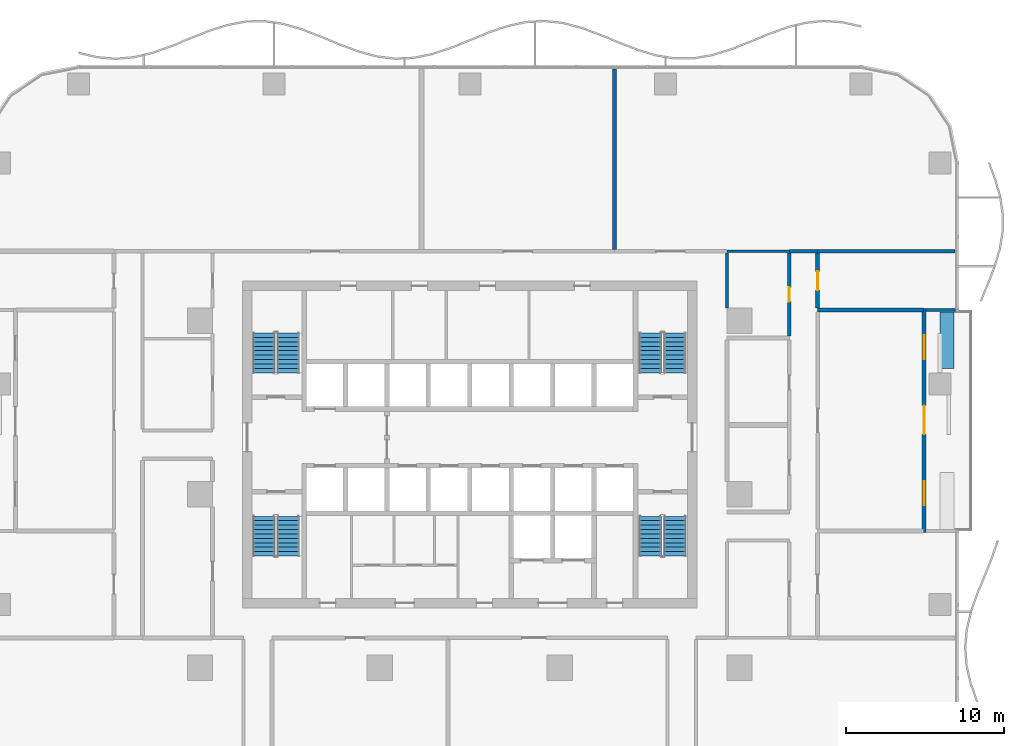
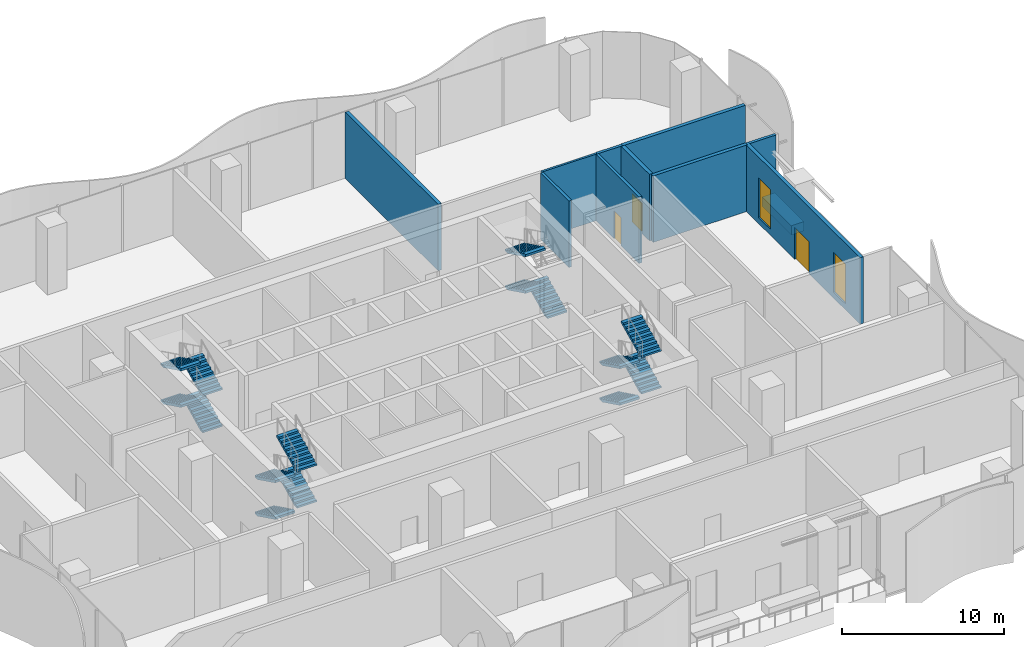
# One storey, part 11 of 21: 15 stair flights, 11 walls, 3 doors, 2 windows, 5 openings, 4 elements without a shape of their own.
"""IFC4 building model written with IfcOpenShell, lengths in metres."""

from ifc_helpers import new_model, si_unit, direction, frame, frame_2d, origin, place, context, subcontext, project, spatial, polyline, rectangle, outline, extrude, material, layer, layer_set, type_object, element, fill, aggregate, save


model = new_model("IFC4")

# Units and contexts
model_context = context("Model", 3, precision=1e-05, world=origin(), true_north=direction((0.0, 1.0)))
body_context = subcontext(model_context, "Body", "Model", "MODEL_VIEW")
ifc_project = project(units=[si_unit("LENGTHUNIT", "METRE"), si_unit("AREAUNIT", "SQUARE_METRE"), si_unit("VOLUMEUNIT", "CUBIC_METRE"), si_unit("PLANEANGLEUNIT", "RADIAN"), si_unit("MASSUNIT", "GRAM", prefix="KILO")], contexts=[model_context])

# Site, building, storey
site_placement = place(None, origin())
site = spatial("IfcSite", under=ifc_project, at=site_placement, CompositionType="ELEMENT")
building_placement = place(site_placement, origin())
building = spatial("IfcBuilding", under=site, at=building_placement, Name="Mopane Tessera Tower", CompositionType="ELEMENT")
storey_placement = place(building_placement, frame((0.0, 0.0, 9.0)))
storey = spatial("IfcBuildingStorey", under=building, at=storey_placement, Name="L01", CompositionType="ELEMENT", Elevation=9.0)

# Walls
ifc_material_1 = material(Name="Gypsum board on steel studs, two layers each face, mineral wool infill", Category="steel")
ifc_layer_1 = layer(ifc_material_1, 0.199951171875)
ifc_layer_set_1 = layer_set([ifc_layer_1], Name="Gypsum board on steel studs, two layers each face, mineral wool infill")
wall_type_1 = type_object("IfcWallType", Name="Gypsum board corridor wall 200, rated EI 60", PredefinedType="PARTITIONING", material=ifc_layer_set_1)
wall_1_placement = place(storey_placement, frame((20.25, 15.39990234375, 0.0), z_axis=(0.0, 0.0, 1.0), x_axis=(1.0, 0.0, 0.0)))
element("IfcWall", 1, at=wall_1_placement, inside=storey, type_object=wall_type_1, Name="Partition L01:030", PredefinedType="PARTITIONING", context=body_context, shape_type="SweptSolid", body=[
    extrude(rectangle(XDim=1.800048828125, YDim=0.199951171875, at=frame_2d((0.89990234375, 0.0))), origin(), (0.0, 0.0, 1.0), 5.0),
])
wall_2_placement = place(storey_placement, frame((16.300048828125, 11.800048828125, 0.0), z_axis=(0.0, 0.0, 1.0), x_axis=(0.0, 1.0, 0.0)))
element("IfcWall", 2, at=wall_2_placement, inside=storey, type_object=wall_type_1, Name="Partition L01:054", PredefinedType="PARTITIONING", context=body_context, shape_type="SweptSolid", body=[
    extrude(rectangle(XDim=3.5, YDim=0.199951171875, at=frame_2d((1.75, 0.0))), origin(), (0.0, 0.0, 1.0), 5.0),
])

# Wall, opening, door
wall_3_placement = place(storey_placement, frame((20.25, 10.014892578125, 0.0), z_axis=(0.0, 0.0, 1.0), x_axis=(0.0, 1.0, 0.0)))
wall_3 = element("IfcWall", 3, at=wall_3_placement, inside=storey, type_object=wall_type_1, Name="Partition L01:057", PredefinedType="PARTITIONING", context=body_context, shape_type="SweptSolid", body=[
    extrude(rectangle(XDim=5.28515625, YDim=0.199951171875, at=frame_2d((2.642578125, 0.0))), origin(), (0.0, 0.0, 1.0), 5.0),
])
opening_1_placement = place(wall_3_placement, frame((2.1923828125, 0.0, 0.0)))
opening_1 = element("IfcOpeningElement", 4, at=opening_1_placement, cuts=wall_3, Name="Opening L01-20", PredefinedType="OPENING", context=body_context, shape_type="SweptSolid", body=[
    extrude(rectangle(XDim=0.89990234375, YDim=2.10009765625, at=frame_2d((0.449951171875, 1.050048828125))), frame((0.0, 0.112060546875, 0.0), z_axis=(0.0, -1.0, 0.0), x_axis=(1.0, 0.0, 0.0)), (0.0, 0.0, 1.0), 0.223876953125),
])
ifc_material_2 = material(Name="Timber veneered steel-framed fire door", Category="steel")
door_type_1 = type_object("IfcDoorType", Name="Fire door FD60 900 x 2100", OperationType="SINGLE_SWING_LEFT", PredefinedType="DOOR", material=ifc_material_2)
door_1_placement = place(opening_1_placement, origin())
door_1 = element("IfcDoor", 5, at=door_1_placement, inside=storey, type_object=door_type_1, Name="Door L01-20", ObjectType="D10A", OperationType="SINGLE_SWING_LEFT", OverallHeight=2.10009765625, OverallWidth=0.89990234375, PredefinedType="DOOR", context=body_context, shape_type="SweptSolid", body=[
    extrude(rectangle(XDim=0.89990234375, YDim=2.10009765625, at=frame_2d((0.449951171875, 1.050048828125))), frame((0.0, 0.02490234375, 0.0), z_axis=(0.0, -1.0, 0.0), x_axis=(1.0, 0.0, 0.0)), (0.0, 0.0, 1.0), 0.050048828125),
])
fill(opening_1, door_1)

# Walls
ifc_material_3 = material(Name="Gypsum board on steel studs, mineral wool infill", Category="steel")
ifc_layer_2 = layer(ifc_material_3, 0.14990234375)
ifc_layer_set_2 = layer_set([ifc_layer_2], Name="Gypsum board on steel studs, mineral wool infill")
wall_type_2 = type_object("IfcWallType", Name="Gypsum board partition 150, rated EI 60", PredefinedType="PARTITIONING", material=ifc_layer_set_2)
wall_4_placement = place(storey_placement, frame((16.300048828125, 15.39990234375, 0.0), z_axis=(0.0, 0.0, 1.0), x_axis=(1.0, 0.0, 0.0)))
element("IfcWall", 6, at=wall_4_placement, inside=storey, type_object=wall_type_2, Name="Partition L01:028", PredefinedType="PARTITIONING", context=body_context, shape_type="SweptSolid", body=[
    extrude(rectangle(XDim=3.949951171875, YDim=0.14990234375, at=frame_2d((1.97509765625, 0.0))), origin(), (0.0, 0.0, 1.0), 5.0),
])
ifc_material_4 = material(Name="Reinforced concrete C32/40 with waterproofing", Category="concrete")
ifc_layer_3 = layer(ifc_material_4, 0.89990234375)
ifc_layer_set_3 = layer_set([ifc_layer_3], Name="Reinforced concrete C32/40 with waterproofing")
wall_type_3 = type_object("IfcWallType", Name="Planter trough 3600 x 900", PredefinedType="STANDARD", material=ifc_layer_set_3)
wall_5_placement = place(storey_placement, frame((30.25, 7.966552734375, 0.0), z_axis=(0.0, 0.0, 1.0), x_axis=(0.0, 1.0, 0.0)))
element("IfcWall", 7, at=wall_5_placement, inside=storey, type_object=wall_type_3, Name="e:nw:L01:N2:pl1", PredefinedType="STANDARD", context=body_context, shape_type="SweptSolid", body=[
    extrude(rectangle(XDim=3.60009765625, YDim=0.89990234375, at=frame_2d((1.800048828125, 0.0))), origin(), (0.0, 0.0, 1.0), 0.699951171875),
])
ifc_material_5 = material(Name="Plastered concrete blockwork C20/25", Category="masonry")
ifc_layer_4 = layer(ifc_material_5, 0.25)
ifc_layer_set_4 = layer_set([ifc_layer_4], Name="Plastered concrete blockwork C20/25")
wall_type_4 = type_object("IfcWallType", Name="Plastered blockwork wall 250, rated EI 120", PredefinedType="PARTITIONING", material=ifc_layer_set_4)
wall_6_placement = place(storey_placement, frame((22.050048828125, 11.6650390625, 0.0), z_axis=(0.0, 0.0, 1.0), x_axis=(1.0, 0.0, 0.0)))
element("IfcWall", 8, at=wall_6_placement, inside=storey, type_object=wall_type_4, Name="Partition L01:027", PredefinedType="PARTITIONING", context=body_context, shape_type="SweptSolid", body=[
    extrude(rectangle(XDim=6.699951171875, YDim=0.25, at=frame_2d((3.35009765625, 0.0))), origin(), (0.0, 0.0, 1.0), 5.0),
])
wall_7_placement = place(storey_placement, frame((22.050048828125, 15.39990234375, 0.0), z_axis=(0.0, 0.0, 1.0), x_axis=(1.0, 0.0, 0.0)))
element("IfcWall", 9, at=wall_7_placement, inside=storey, type_object=wall_type_4, Name="Partition L01:032", PredefinedType="PARTITIONING", context=body_context, shape_type="SweptSolid", body=[
    extrude(rectangle(XDim=8.699951171875, YDim=0.25, at=frame_2d((4.35009765625, 0.0))), origin(), (0.0, 0.0, 1.0), 5.0),
])
wall_8_placement = place(storey_placement, frame((9.1650390625, 15.52490234375, 0.0), z_axis=(0.0, 0.0, 1.0), x_axis=(0.0, 1.0, 0.0)))
element("IfcWall", 10, at=wall_8_placement, inside=storey, type_object=wall_type_4, Name="Partition L01:049", PredefinedType="PARTITIONING", context=body_context, shape_type="SweptSolid", body=[
    extrude(rectangle(XDim=11.425048828125, YDim=0.25, at=frame_2d((5.71240234375, 0.0))), origin(), (0.0, 0.0, 1.0), 5.0),
])

# Wall, opening, door
wall_9_placement = place(storey_placement, frame((22.050048828125, 11.7900390625, 0.0), z_axis=(0.0, 0.0, 1.0), x_axis=(0.0, 1.0, 0.0)))
wall_9 = element("IfcWall", 11, at=wall_9_placement, inside=storey, type_object=wall_type_4, Name="Partition L01:061", PredefinedType="PARTITIONING", context=body_context, shape_type="SweptSolid", body=[
    extrude(rectangle(XDim=3.48486328125, YDim=0.25, at=frame_2d((1.742431640625, 0.0))), origin(), (0.0, 0.0, 1.0), 5.0),
])
opening_2_placement = place(wall_9_placement, frame((1.142578125, 0.0, 0.0)))
opening_2 = element("IfcOpeningElement", 12, at=opening_2_placement, cuts=wall_9, Name="Opening L01-03", PredefinedType="OPENING", context=body_context, shape_type="SweptSolid", body=[
    extrude(rectangle(XDim=1.199951171875, YDim=2.10009765625, at=frame_2d((0.60009765625, 1.050048828125))), frame((0.0, 0.136962890625, 0.0), z_axis=(0.0, -1.0, 0.0), x_axis=(1.0, 0.0, 0.0)), (0.0, 0.0, 1.0), 0.27392578125),
])
ifc_material_6 = material(Name="Timber veneered steel-framed fire door", Category="steel")
door_type_2 = type_object("IfcDoorType", Name="Fire door FD120 1200 x 2100", OperationType="SINGLE_SWING_LEFT", PredefinedType="DOOR", material=ifc_material_6)
door_2_placement = place(opening_2_placement, origin())
door_2 = element("IfcDoor", 13, at=door_2_placement, inside=storey, type_object=door_type_2, Name="Door L01-03", ObjectType="D15B", OperationType="SINGLE_SWING_RIGHT", OverallHeight=2.10009765625, OverallWidth=1.199951171875, PredefinedType="DOOR", context=body_context, shape_type="SweptSolid", body=[
    extrude(rectangle(XDim=1.199951171875, YDim=2.10009765625, at=frame_2d((0.60009765625, 1.050048828125))), frame((0.0, 0.02490234375, 0.0), z_axis=(0.0, -1.0, 0.0), x_axis=(1.0, 0.0, 0.0)), (0.0, 0.0, 1.0), 0.050048828125),
])
fill(opening_2, door_2)

# Wall
ifc_material_7 = material(Name="Blockwork with glazed tile facing", Category="masonry")
ifc_layer_5 = layer(ifc_material_7, 0.199951171875)
ifc_layer_set_5 = layer_set([ifc_layer_5], Name="Blockwork with glazed tile facing")
wall_type_5 = type_object("IfcWallType", Name="Terrace cheek wall 200", PredefinedType="STANDARD", material=ifc_layer_set_5)
wall_10_placement = place(storey_placement, frame((30.800048828125, 11.666748046875, 0.0), z_axis=(0.0, 0.0, 1.0), x_axis=(-1.0, 0.0, 0.0)))
element("IfcWall", 14, at=wall_10_placement, inside=storey, type_object=wall_type_5, Name="e:nw:L01:N2:cheekb", PredefinedType="STANDARD", context=body_context, shape_type="SweptSolid", body=[
    extrude(rectangle(XDim=1.875, YDim=0.199951171875, at=frame_2d((0.9375, 0.0))), origin(), (0.0, 0.0, 1.0), 5.0),
])

# Wall, openings, windows, door
ifc_material_8 = material(Name="Blockwork with turquoise glazed tile facing", Category="masonry")
ifc_layer_6 = layer(ifc_material_8, 0.25)
ifc_layer_set_6 = layer_set([ifc_layer_6], Name="Blockwork with turquoise glazed tile facing")
wall_type_6 = type_object("IfcWallType", Name="Tile-clad external wall 250, turquoise", PredefinedType="STANDARD", material=ifc_layer_set_6)
wall_11_placement = place(storey_placement, frame((28.800048828125, -2.433349609375, 0.0), z_axis=(0.0, 0.0, 1.0), x_axis=(0.0, 1.0, 0.0)))
wall_11 = element("IfcWall", 15, at=wall_11_placement, inside=storey, type_object=wall_type_6, Name="e:nw:L01:N2:back", PredefinedType="STANDARD", context=body_context, shape_type="SweptSolid", body=[
    extrude(rectangle(XDim=14.199951171875, YDim=0.25, at=frame_2d((7.10009765625, 0.0))), origin(), (0.0, 0.0, 1.0), 5.0),
])
opening_3_placement = place(wall_11_placement, frame((1.75, 0.0, 0.449951171875)))
opening_3 = element("IfcOpeningElement", 16, at=opening_3_placement, cuts=wall_11, Name="Opening NW012A", PredefinedType="OPENING", context=body_context, shape_type="SweptSolid", body=[
    extrude(rectangle(XDim=1.5, YDim=3.0, at=frame_2d((0.75, 1.5))), frame((0.0, 0.136962890625, 0.0), z_axis=(0.0, -1.0, 0.0), x_axis=(1.0, 0.0, 0.0)), (0.0, 0.0, 1.0), 0.27392578125),
])
opening_4_placement = place(wall_11_placement, frame((6.25, 0.0, 0.0)))
opening_4 = element("IfcOpeningElement", 17, at=opening_4_placement, cuts=wall_11, Name="Opening ND012", PredefinedType="OPENING", context=body_context, shape_type="SweptSolid", body=[
    extrude(rectangle(XDim=1.800048828125, YDim=2.39990234375, at=frame_2d((0.89990234375, 1.199951171875))), frame((0.0, 0.136962890625, 0.0), z_axis=(0.0, -1.0, 0.0), x_axis=(1.0, 0.0, 0.0)), (0.0, 0.0, 1.0), 0.27392578125),
])
opening_5_placement = place(wall_11_placement, frame((11.0, 0.0, 0.449951171875)))
opening_5 = element("IfcOpeningElement", 18, at=opening_5_placement, cuts=wall_11, Name="Opening NW012B", PredefinedType="OPENING", context=body_context, shape_type="SweptSolid", body=[
    extrude(rectangle(XDim=1.5, YDim=3.0, at=frame_2d((0.75, 1.5))), frame((0.0, 0.136962890625, 0.0), z_axis=(0.0, -1.0, 0.0), x_axis=(1.0, 0.0, 0.0)), (0.0, 0.0, 1.0), 0.27392578125),
])
ifc_material_9 = material(Name="Clear laminated glass", Category="glass")
window_type = type_object("IfcWindowType", Name="Fixed window 1500 x 3000", PartitioningType="SINGLE_PANEL", PredefinedType="WINDOW", material=ifc_material_9)
window_1_placement = place(opening_3_placement, origin())
window_1 = element("IfcWindow", 19, at=window_1_placement, inside=storey, type_object=window_type, Name="e:nw:L01:N2:win0", OverallHeight=3.0, OverallWidth=1.5, PartitioningType="SINGLE_PANEL", PredefinedType="WINDOW", context=body_context, shape_type="SweptSolid", body=[
    extrude(rectangle(XDim=1.5, YDim=3.0, at=frame_2d((0.75, 1.5))), frame((0.0, 0.030029296875, 0.0), z_axis=(0.0, -1.0, 0.0), x_axis=(1.0, 0.0, 0.0)), (0.0, 0.0, 1.0), 0.06005859375),
])
fill(opening_3, window_1)
window_2_placement = place(opening_5_placement, origin())
window_2 = element("IfcWindow", 20, at=window_2_placement, inside=storey, type_object=window_type, Name="e:nw:L01:N2:win2", OverallHeight=3.0, OverallWidth=1.5, PartitioningType="SINGLE_PANEL", PredefinedType="WINDOW", context=body_context, shape_type="SweptSolid", body=[
    extrude(rectangle(XDim=1.5, YDim=3.0, at=frame_2d((0.75, 1.5))), frame((0.0, 0.030029296875, 0.0), z_axis=(0.0, -1.0, 0.0), x_axis=(1.0, 0.0, 0.0)), (0.0, 0.0, 1.0), 0.06005859375),
])
fill(opening_5, window_2)
ifc_material_10 = material(Name="Aluminium and clear glass", Category="aluminium")
door_type_3 = type_object("IfcDoorType", Name="Terrace double door 1800 x 2400", OperationType="DOUBLE_DOOR_SINGLE_SWING", PredefinedType="DOOR", material=ifc_material_10)
door_3_placement = place(opening_4_placement, origin())
door_3 = element("IfcDoor", 21, at=door_3_placement, inside=storey, type_object=door_type_3, Name="e:nw:L01:N2:door", ObjectType="D1", OperationType="DOUBLE_DOOR_SINGLE_SWING", OverallHeight=2.39990234375, OverallWidth=1.800048828125, PredefinedType="DOOR", context=body_context, shape_type="SweptSolid", body=[
    extrude(rectangle(XDim=1.800048828125, YDim=2.39990234375, at=frame_2d((0.89990234375, 1.199951171875))), frame((0.0, 0.02490234375, 0.0), z_axis=(0.0, -1.0, 0.0), x_axis=(1.0, 0.0, 0.0)), (0.0, 0.0, 1.0), 0.050048828125),
])
fill(opening_4, door_3)

# Stair, stair flights
ifc_material_11 = material(Name="Concrete C50/60", Category="concrete")
stair_type = type_object("IfcStairType", Name="Escape stair 1400 mm, riser 138 mm", PredefinedType="HALF_TURN_STAIR", material=ifc_material_11)
stair_1_placement = place(storey_placement, origin())
stair_1 = element("IfcStair", 22, at=stair_1_placement, inside=storey, type_object=stair_type, Name="L01 Escape stair south-west", PredefinedType="HALF_TURN_STAIR")
ifc_material_12 = material(Name="Concrete C50/60", Category="concrete")
stair_flight_type = type_object("IfcStairFlightType", Name="Escape stair flight 1400 mm", PredefinedType="STRAIGHT", material=ifc_material_12)
stair_flight_1_placement = place(storey_placement, frame((-13.050048828125, -1.39990234375, 0.0), z_axis=(0.0, 0.0, 1.0), x_axis=(0.0, -1.0, 0.0)))
stair_flight_1 = element("IfcStairFlight", 23, at=stair_flight_1_placement, type_object=stair_flight_type, Name="ST1 flight 1", NumberOfRisers=10, NumberOfTreads=9, PredefinedType="STRAIGHT", RiserHeight=0.1375, TreadLength=0.28, context=body_context, shape_type="SweptSolid", body=[
    extrude(outline(polyline([(0.0, 0.0), (0.0, 0.137451171875), (0.280029296875, 0.137451171875), (0.280029296875, 0.27490234375), (0.56005859375, 0.27490234375), (0.56005859375, 0.41259765625), (0.840087890625, 0.41259765625), (0.840087890625, 0.550048828125), (1.1201171875, 0.550048828125), (1.1201171875, 0.6875), (1.39990234375, 0.6875), (1.39990234375, 0.824951171875), (1.679931640625, 0.824951171875), (1.679931640625, 0.96240234375), (1.9599609375, 0.96240234375), (1.9599609375, 1.10009765625), (2.239990234375, 1.10009765625), (2.239990234375, 1.237548828125), (2.52001953125, 1.237548828125), (2.52001953125, 1.375), (2.52001953125, 1.070556640625), (0.340087890625, 0.0), (0.0, 0.0)])), frame((0.0, 0.699951171875, 0.0), z_axis=(0.0, -1.0, 0.0), x_axis=(1.0, 0.0, 0.0)), (0.0, 0.0, 1.0), 1.39990234375),
])
stair_flight_2_placement = place(storey_placement, frame((-11.5, -3.919921875, 1.375), z_axis=(0.0, 0.0, 1.0), x_axis=(0.0, 1.0, 0.0)))
stair_flight_2 = element("IfcStairFlight", 24, at=stair_flight_2_placement, type_object=stair_flight_type, Name="ST1 flight 2", NumberOfRisers=10, NumberOfTreads=9, PredefinedType="STRAIGHT", RiserHeight=0.1375, TreadLength=0.28, context=body_context, shape_type="SweptSolid", body=[
    extrude(outline(polyline([(0.0, 0.0), (0.0, 0.137451171875), (0.280029296875, 0.137451171875), (0.280029296875, 0.27490234375), (0.56005859375, 0.27490234375), (0.56005859375, 0.41259765625), (0.840087890625, 0.41259765625), (0.840087890625, 0.550048828125), (1.1201171875, 0.550048828125), (1.1201171875, 0.6875), (1.39990234375, 0.6875), (1.39990234375, 0.824951171875), (1.679931640625, 0.824951171875), (1.679931640625, 0.96240234375), (1.9599609375, 0.96240234375), (1.9599609375, 1.10009765625), (2.239990234375, 1.10009765625), (2.239990234375, 1.237548828125), (2.52001953125, 1.237548828125), (2.52001953125, 1.375), (2.52001953125, 1.070556640625), (0.340087890625, 0.0), (0.0, 0.0)])), frame((0.0, 0.699951171875, 0.0), z_axis=(0.0, -1.0, 0.0), x_axis=(1.0, 0.0, 0.0)), (0.0, 0.0, 1.0), 1.39990234375),
])
stair_flight_3_placement = place(storey_placement, frame((-13.050048828125, -1.39990234375, 2.75), z_axis=(0.0, 0.0, 1.0), x_axis=(0.0, -1.0, 0.0)))
stair_flight_3 = element("IfcStairFlight", 25, at=stair_flight_3_placement, type_object=stair_flight_type, Name="ST1 flight 3", NumberOfRisers=10, NumberOfTreads=9, PredefinedType="STRAIGHT", RiserHeight=0.1375, TreadLength=0.28, context=body_context, shape_type="SweptSolid", body=[
    extrude(outline(polyline([(0.0, 0.0), (0.0, 0.137451171875), (0.280029296875, 0.137451171875), (0.280029296875, 0.27490234375), (0.56005859375, 0.27490234375), (0.56005859375, 0.41259765625), (0.840087890625, 0.41259765625), (0.840087890625, 0.550048828125), (1.1201171875, 0.550048828125), (1.1201171875, 0.6875), (1.39990234375, 0.6875), (1.39990234375, 0.824951171875), (1.679931640625, 0.824951171875), (1.679931640625, 0.96240234375), (1.9599609375, 0.96240234375), (1.9599609375, 1.10009765625), (2.239990234375, 1.10009765625), (2.239990234375, 1.237548828125), (2.52001953125, 1.237548828125), (2.52001953125, 1.375), (2.52001953125, 1.070556640625), (0.340087890625, 0.0), (0.0, 0.0)])), frame((0.0, 0.699951171875, 0.0), z_axis=(0.0, -1.0, 0.0), x_axis=(1.0, 0.0, 0.0)), (0.0, 0.0, 1.0), 1.39990234375),
])
stair_flight_4_placement = place(storey_placement, frame((-11.5, -3.919921875, 4.125), z_axis=(0.0, 0.0, 1.0), x_axis=(0.0, 1.0, 0.0)))
stair_flight_4 = element("IfcStairFlight", 26, at=stair_flight_4_placement, type_object=stair_flight_type, Name="ST1 flight 4", NumberOfRisers=10, NumberOfTreads=9, PredefinedType="STRAIGHT", RiserHeight=0.1375, TreadLength=0.28, context=body_context, shape_type="SweptSolid", body=[
    extrude(outline(polyline([(0.0, 0.0), (0.0, 0.137451171875), (0.280029296875, 0.137451171875), (0.280029296875, 0.27490234375), (0.56005859375, 0.27490234375), (0.56005859375, 0.41259765625), (0.840087890625, 0.41259765625), (0.840087890625, 0.550048828125), (1.1201171875, 0.550048828125), (1.1201171875, 0.6875), (1.39990234375, 0.6875), (1.39990234375, 0.824951171875), (1.679931640625, 0.824951171875), (1.679931640625, 0.96240234375), (1.9599609375, 0.96240234375), (1.9599609375, 1.10009765625), (2.239990234375, 1.10009765625), (2.239990234375, 1.237548828125), (2.52001953125, 1.237548828125), (2.52001953125, 1.375), (2.52001953125, 1.070556640625), (0.340087890625, 0.0), (0.0, 0.0)])), frame((0.0, 0.699951171875, 0.0), z_axis=(0.0, -1.0, 0.0), x_axis=(1.0, 0.0, 0.0)), (0.0, 0.0, 1.0), 1.39990234375),
])
aggregate(stair_1, [stair_flight_1, stair_flight_2, stair_flight_3, stair_flight_4])

stair_2_placement = place(storey_placement, origin())
stair_2 = element("IfcStair", 27, at=stair_2_placement, inside=storey, type_object=stair_type, Name="L01 Escape stair north-west", PredefinedType="HALF_TURN_STAIR")
stair_flight_5_placement = place(storey_placement, frame((-11.5, 7.699951171875, 0.0), z_axis=(0.0, 0.0, 1.0), x_axis=(0.0, 1.0, 0.0)))
stair_flight_5 = element("IfcStairFlight", 28, at=stair_flight_5_placement, type_object=stair_flight_type, Name="ST2 flight 1", NumberOfRisers=10, NumberOfTreads=9, PredefinedType="STRAIGHT", RiserHeight=0.1375, TreadLength=0.28, context=body_context, shape_type="SweptSolid", body=[
    extrude(outline(polyline([(0.0, 0.0), (0.0, 0.137451171875), (0.280029296875, 0.137451171875), (0.280029296875, 0.27490234375), (0.56005859375, 0.27490234375), (0.56005859375, 0.41259765625), (0.840087890625, 0.41259765625), (0.840087890625, 0.550048828125), (1.1201171875, 0.550048828125), (1.1201171875, 0.6875), (1.39990234375, 0.6875), (1.39990234375, 0.824951171875), (1.679931640625, 0.824951171875), (1.679931640625, 0.96240234375), (1.9599609375, 0.96240234375), (1.9599609375, 1.10009765625), (2.239990234375, 1.10009765625), (2.239990234375, 1.237548828125), (2.52001953125, 1.237548828125), (2.52001953125, 1.375), (2.52001953125, 1.070556640625), (0.340087890625, 0.0), (0.0, 0.0)])), frame((0.0, 0.699951171875, 0.0), z_axis=(0.0, -1.0, 0.0), x_axis=(1.0, 0.0, 0.0)), (0.0, 0.0, 1.0), 1.39990234375),
])
stair_flight_6_placement = place(storey_placement, frame((-13.050048828125, 10.219970703125, 1.375), z_axis=(0.0, 0.0, 1.0), x_axis=(0.0, -1.0, 0.0)))
stair_flight_6 = element("IfcStairFlight", 29, at=stair_flight_6_placement, type_object=stair_flight_type, Name="ST2 flight 2", NumberOfRisers=10, NumberOfTreads=9, PredefinedType="STRAIGHT", RiserHeight=0.1375, TreadLength=0.28, context=body_context, shape_type="SweptSolid", body=[
    extrude(outline(polyline([(0.0, 0.0), (0.0, 0.137451171875), (0.280029296875, 0.137451171875), (0.280029296875, 0.27490234375), (0.56005859375, 0.27490234375), (0.56005859375, 0.41259765625), (0.840087890625, 0.41259765625), (0.840087890625, 0.550048828125), (1.1201171875, 0.550048828125), (1.1201171875, 0.6875), (1.39990234375, 0.6875), (1.39990234375, 0.824951171875), (1.679931640625, 0.824951171875), (1.679931640625, 0.96240234375), (1.9599609375, 0.96240234375), (1.9599609375, 1.10009765625), (2.239990234375, 1.10009765625), (2.239990234375, 1.237548828125), (2.52001953125, 1.237548828125), (2.52001953125, 1.375), (2.52001953125, 1.070556640625), (0.340087890625, 0.0), (0.0, 0.0)])), frame((0.0, 0.699951171875, 0.0), z_axis=(0.0, -1.0, 0.0), x_axis=(1.0, 0.0, 0.0)), (0.0, 0.0, 1.0), 1.39990234375),
])
stair_flight_7_placement = place(storey_placement, frame((-11.5, 7.699951171875, 2.75), z_axis=(0.0, 0.0, 1.0), x_axis=(0.0, 1.0, 0.0)))
stair_flight_7 = element("IfcStairFlight", 30, at=stair_flight_7_placement, type_object=stair_flight_type, Name="ST2 flight 3", NumberOfRisers=10, NumberOfTreads=9, PredefinedType="STRAIGHT", RiserHeight=0.1375, TreadLength=0.28, context=body_context, shape_type="SweptSolid", body=[
    extrude(outline(polyline([(0.0, 0.0), (0.0, 0.137451171875), (0.280029296875, 0.137451171875), (0.280029296875, 0.27490234375), (0.56005859375, 0.27490234375), (0.56005859375, 0.41259765625), (0.840087890625, 0.41259765625), (0.840087890625, 0.550048828125), (1.1201171875, 0.550048828125), (1.1201171875, 0.6875), (1.39990234375, 0.6875), (1.39990234375, 0.824951171875), (1.679931640625, 0.824951171875), (1.679931640625, 0.96240234375), (1.9599609375, 0.96240234375), (1.9599609375, 1.10009765625), (2.239990234375, 1.10009765625), (2.239990234375, 1.237548828125), (2.52001953125, 1.237548828125), (2.52001953125, 1.375), (2.52001953125, 1.070556640625), (0.340087890625, 0.0), (0.0, 0.0)])), frame((0.0, 0.699951171875, 0.0), z_axis=(0.0, -1.0, 0.0), x_axis=(1.0, 0.0, 0.0)), (0.0, 0.0, 1.0), 1.39990234375),
])
stair_flight_8_placement = place(storey_placement, frame((-13.050048828125, 10.219970703125, 4.125), z_axis=(0.0, 0.0, 1.0), x_axis=(0.0, -1.0, 0.0)))
stair_flight_8 = element("IfcStairFlight", 31, at=stair_flight_8_placement, type_object=stair_flight_type, Name="ST2 flight 4", NumberOfRisers=10, NumberOfTreads=9, PredefinedType="STRAIGHT", RiserHeight=0.1375, TreadLength=0.28, context=body_context, shape_type="SweptSolid", body=[
    extrude(outline(polyline([(0.0, 0.0), (0.0, 0.137451171875), (0.280029296875, 0.137451171875), (0.280029296875, 0.27490234375), (0.56005859375, 0.27490234375), (0.56005859375, 0.41259765625), (0.840087890625, 0.41259765625), (0.840087890625, 0.550048828125), (1.1201171875, 0.550048828125), (1.1201171875, 0.6875), (1.39990234375, 0.6875), (1.39990234375, 0.824951171875), (1.679931640625, 0.824951171875), (1.679931640625, 0.96240234375), (1.9599609375, 0.96240234375), (1.9599609375, 1.10009765625), (2.239990234375, 1.10009765625), (2.239990234375, 1.237548828125), (2.52001953125, 1.237548828125), (2.52001953125, 1.375), (2.52001953125, 1.070556640625), (0.340087890625, 0.0), (0.0, 0.0)])), frame((0.0, 0.699951171875, 0.0), z_axis=(0.0, -1.0, 0.0), x_axis=(1.0, 0.0, 0.0)), (0.0, 0.0, 1.0), 1.39990234375),
])
aggregate(stair_2, [stair_flight_5, stair_flight_6, stair_flight_7, stair_flight_8])

stair_3_placement = place(storey_placement, origin())
stair_3 = element("IfcStair", 32, at=stair_3_placement, inside=storey, type_object=stair_type, Name="L01 Escape stair south-east", PredefinedType="HALF_TURN_STAIR")
stair_flight_9_placement = place(storey_placement, frame((11.449951171875, -1.39990234375, 0.0), z_axis=(0.0, 0.0, 1.0), x_axis=(0.0, -1.0, 0.0)))
stair_flight_9 = element("IfcStairFlight", 33, at=stair_flight_9_placement, type_object=stair_flight_type, Name="ST3 flight 1", NumberOfRisers=10, NumberOfTreads=9, PredefinedType="STRAIGHT", RiserHeight=0.1375, TreadLength=0.28, context=body_context, shape_type="SweptSolid", body=[
    extrude(outline(polyline([(0.0, 0.0), (0.0, 0.137451171875), (0.280029296875, 0.137451171875), (0.280029296875, 0.27490234375), (0.56005859375, 0.27490234375), (0.56005859375, 0.41259765625), (0.840087890625, 0.41259765625), (0.840087890625, 0.550048828125), (1.1201171875, 0.550048828125), (1.1201171875, 0.6875), (1.39990234375, 0.6875), (1.39990234375, 0.824951171875), (1.679931640625, 0.824951171875), (1.679931640625, 0.96240234375), (1.9599609375, 0.96240234375), (1.9599609375, 1.10009765625), (2.239990234375, 1.10009765625), (2.239990234375, 1.237548828125), (2.52001953125, 1.237548828125), (2.52001953125, 1.375), (2.52001953125, 1.070556640625), (0.340087890625, 0.0), (0.0, 0.0)])), frame((0.0, 0.699951171875, 0.0), z_axis=(0.0, -1.0, 0.0), x_axis=(1.0, 0.0, 0.0)), (0.0, 0.0, 1.0), 1.39990234375),
])
stair_flight_10_placement = place(storey_placement, frame((13.0, -3.919921875, 1.375), z_axis=(0.0, 0.0, 1.0), x_axis=(0.0, 1.0, 0.0)))
stair_flight_10 = element("IfcStairFlight", 34, at=stair_flight_10_placement, type_object=stair_flight_type, Name="ST3 flight 2", NumberOfRisers=10, NumberOfTreads=9, PredefinedType="STRAIGHT", RiserHeight=0.1375, TreadLength=0.28, context=body_context, shape_type="SweptSolid", body=[
    extrude(outline(polyline([(0.0, 0.0), (0.0, 0.137451171875), (0.280029296875, 0.137451171875), (0.280029296875, 0.27490234375), (0.56005859375, 0.27490234375), (0.56005859375, 0.41259765625), (0.840087890625, 0.41259765625), (0.840087890625, 0.550048828125), (1.1201171875, 0.550048828125), (1.1201171875, 0.6875), (1.39990234375, 0.6875), (1.39990234375, 0.824951171875), (1.679931640625, 0.824951171875), (1.679931640625, 0.96240234375), (1.9599609375, 0.96240234375), (1.9599609375, 1.10009765625), (2.239990234375, 1.10009765625), (2.239990234375, 1.237548828125), (2.52001953125, 1.237548828125), (2.52001953125, 1.375), (2.52001953125, 1.070556640625), (0.340087890625, 0.0), (0.0, 0.0)])), frame((0.0, 0.699951171875, 0.0), z_axis=(0.0, -1.0, 0.0), x_axis=(1.0, 0.0, 0.0)), (0.0, 0.0, 1.0), 1.39990234375),
])
stair_flight_11_placement = place(storey_placement, frame((11.449951171875, -1.39990234375, 2.75), z_axis=(0.0, 0.0, 1.0), x_axis=(0.0, -1.0, 0.0)))
stair_flight_11 = element("IfcStairFlight", 35, at=stair_flight_11_placement, type_object=stair_flight_type, Name="ST3 flight 3", NumberOfRisers=10, NumberOfTreads=9, PredefinedType="STRAIGHT", RiserHeight=0.1375, TreadLength=0.28, context=body_context, shape_type="SweptSolid", body=[
    extrude(outline(polyline([(0.0, 0.0), (0.0, 0.137451171875), (0.280029296875, 0.137451171875), (0.280029296875, 0.27490234375), (0.56005859375, 0.27490234375), (0.56005859375, 0.41259765625), (0.840087890625, 0.41259765625), (0.840087890625, 0.550048828125), (1.1201171875, 0.550048828125), (1.1201171875, 0.6875), (1.39990234375, 0.6875), (1.39990234375, 0.824951171875), (1.679931640625, 0.824951171875), (1.679931640625, 0.96240234375), (1.9599609375, 0.96240234375), (1.9599609375, 1.10009765625), (2.239990234375, 1.10009765625), (2.239990234375, 1.237548828125), (2.52001953125, 1.237548828125), (2.52001953125, 1.375), (2.52001953125, 1.070556640625), (0.340087890625, 0.0), (0.0, 0.0)])), frame((0.0, 0.699951171875, 0.0), z_axis=(0.0, -1.0, 0.0), x_axis=(1.0, 0.0, 0.0)), (0.0, 0.0, 1.0), 1.39990234375),
])
stair_flight_12_placement = place(storey_placement, frame((13.0, -3.919921875, 4.125), z_axis=(0.0, 0.0, 1.0), x_axis=(0.0, 1.0, 0.0)))
stair_flight_12 = element("IfcStairFlight", 36, at=stair_flight_12_placement, type_object=stair_flight_type, Name="ST3 flight 4", NumberOfRisers=10, NumberOfTreads=9, PredefinedType="STRAIGHT", RiserHeight=0.1375, TreadLength=0.28, context=body_context, shape_type="SweptSolid", body=[
    extrude(outline(polyline([(0.0, 0.0), (0.0, 0.137451171875), (0.280029296875, 0.137451171875), (0.280029296875, 0.27490234375), (0.56005859375, 0.27490234375), (0.56005859375, 0.41259765625), (0.840087890625, 0.41259765625), (0.840087890625, 0.550048828125), (1.1201171875, 0.550048828125), (1.1201171875, 0.6875), (1.39990234375, 0.6875), (1.39990234375, 0.824951171875), (1.679931640625, 0.824951171875), (1.679931640625, 0.96240234375), (1.9599609375, 0.96240234375), (1.9599609375, 1.10009765625), (2.239990234375, 1.10009765625), (2.239990234375, 1.237548828125), (2.52001953125, 1.237548828125), (2.52001953125, 1.375), (2.52001953125, 1.070556640625), (0.340087890625, 0.0), (0.0, 0.0)])), frame((0.0, 0.699951171875, 0.0), z_axis=(0.0, -1.0, 0.0), x_axis=(1.0, 0.0, 0.0)), (0.0, 0.0, 1.0), 1.39990234375),
])
aggregate(stair_3, [stair_flight_9, stair_flight_10, stair_flight_11, stair_flight_12])

stair_4_placement = place(storey_placement, origin())
stair_4 = element("IfcStair", 37, at=stair_4_placement, inside=storey, type_object=stair_type, Name="L01 Escape stair north-east", PredefinedType="HALF_TURN_STAIR")
stair_flight_13_placement = place(storey_placement, frame((13.0, 7.699951171875, 0.0), z_axis=(0.0, 0.0, 1.0), x_axis=(0.0, 1.0, 0.0)))
stair_flight_13 = element("IfcStairFlight", 38, at=stair_flight_13_placement, type_object=stair_flight_type, Name="ST4 flight 1", NumberOfRisers=10, NumberOfTreads=9, PredefinedType="STRAIGHT", RiserHeight=0.1375, TreadLength=0.28, context=body_context, shape_type="SweptSolid", body=[
    extrude(outline(polyline([(0.0, 0.0), (0.0, 0.137451171875), (0.280029296875, 0.137451171875), (0.280029296875, 0.27490234375), (0.56005859375, 0.27490234375), (0.56005859375, 0.41259765625), (0.840087890625, 0.41259765625), (0.840087890625, 0.550048828125), (1.1201171875, 0.550048828125), (1.1201171875, 0.6875), (1.39990234375, 0.6875), (1.39990234375, 0.824951171875), (1.679931640625, 0.824951171875), (1.679931640625, 0.96240234375), (1.9599609375, 0.96240234375), (1.9599609375, 1.10009765625), (2.239990234375, 1.10009765625), (2.239990234375, 1.237548828125), (2.52001953125, 1.237548828125), (2.52001953125, 1.375), (2.52001953125, 1.070556640625), (0.340087890625, 0.0), (0.0, 0.0)])), frame((0.0, 0.699951171875, 0.0), z_axis=(0.0, -1.0, 0.0), x_axis=(1.0, 0.0, 0.0)), (0.0, 0.0, 1.0), 1.39990234375),
])
stair_flight_14_placement = place(storey_placement, frame((11.449951171875, 10.219970703125, 1.375), z_axis=(0.0, 0.0, 1.0), x_axis=(0.0, -1.0, 0.0)))
stair_flight_14 = element("IfcStairFlight", 39, at=stair_flight_14_placement, type_object=stair_flight_type, Name="ST4 flight 2", NumberOfRisers=10, NumberOfTreads=9, PredefinedType="STRAIGHT", RiserHeight=0.1375, TreadLength=0.28, context=body_context, shape_type="SweptSolid", body=[
    extrude(outline(polyline([(0.0, 0.0), (0.0, 0.137451171875), (0.280029296875, 0.137451171875), (0.280029296875, 0.27490234375), (0.56005859375, 0.27490234375), (0.56005859375, 0.41259765625), (0.840087890625, 0.41259765625), (0.840087890625, 0.550048828125), (1.1201171875, 0.550048828125), (1.1201171875, 0.6875), (1.39990234375, 0.6875), (1.39990234375, 0.824951171875), (1.679931640625, 0.824951171875), (1.679931640625, 0.96240234375), (1.9599609375, 0.96240234375), (1.9599609375, 1.10009765625), (2.239990234375, 1.10009765625), (2.239990234375, 1.237548828125), (2.52001953125, 1.237548828125), (2.52001953125, 1.375), (2.52001953125, 1.070556640625), (0.340087890625, 0.0), (0.0, 0.0)])), frame((0.0, 0.699951171875, 0.0), z_axis=(0.0, -1.0, 0.0), x_axis=(1.0, 0.0, 0.0)), (0.0, 0.0, 1.0), 1.39990234375),
])
stair_flight_15_placement = place(storey_placement, frame((11.449951171875, 10.219970703125, 4.125), z_axis=(0.0, 0.0, 1.0), x_axis=(0.0, -1.0, 0.0)))
stair_flight_15 = element("IfcStairFlight", 40, at=stair_flight_15_placement, type_object=stair_flight_type, Name="ST4 flight 4", NumberOfRisers=10, NumberOfTreads=9, PredefinedType="STRAIGHT", RiserHeight=0.1375, TreadLength=0.28, context=body_context, shape_type="SweptSolid", body=[
    extrude(outline(polyline([(0.0, 0.0), (0.0, 0.137451171875), (0.280029296875, 0.137451171875), (0.280029296875, 0.27490234375), (0.56005859375, 0.27490234375), (0.56005859375, 0.41259765625), (0.840087890625, 0.41259765625), (0.840087890625, 0.550048828125), (1.1201171875, 0.550048828125), (1.1201171875, 0.6875), (1.39990234375, 0.6875), (1.39990234375, 0.824951171875), (1.679931640625, 0.824951171875), (1.679931640625, 0.96240234375), (1.9599609375, 0.96240234375), (1.9599609375, 1.10009765625), (2.239990234375, 1.10009765625), (2.239990234375, 1.237548828125), (2.52001953125, 1.237548828125), (2.52001953125, 1.375), (2.52001953125, 1.070556640625), (0.340087890625, 0.0), (0.0, 0.0)])), frame((0.0, 0.699951171875, 0.0), z_axis=(0.0, -1.0, 0.0), x_axis=(1.0, 0.0, 0.0)), (0.0, 0.0, 1.0), 1.39990234375),
])
aggregate(stair_4, [stair_flight_13, stair_flight_14, stair_flight_15])

save(model, "model.ifc")
